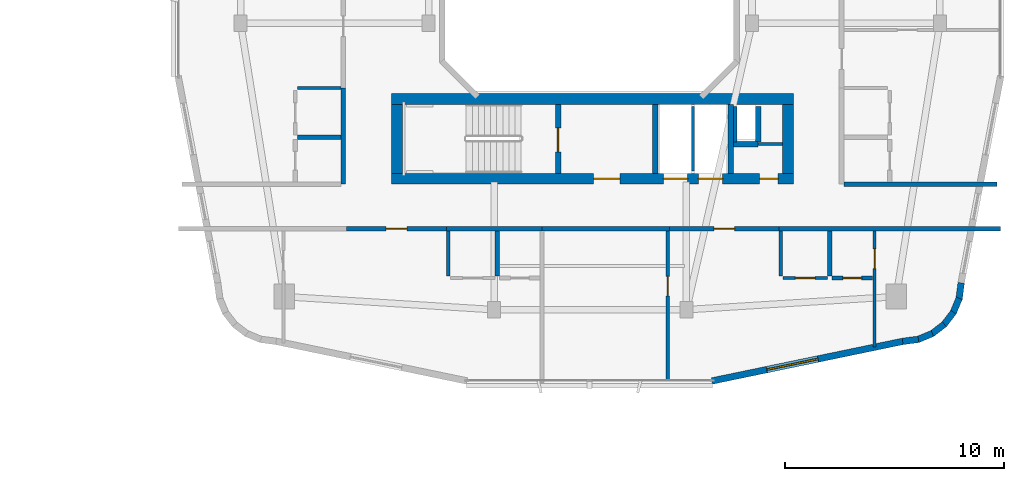
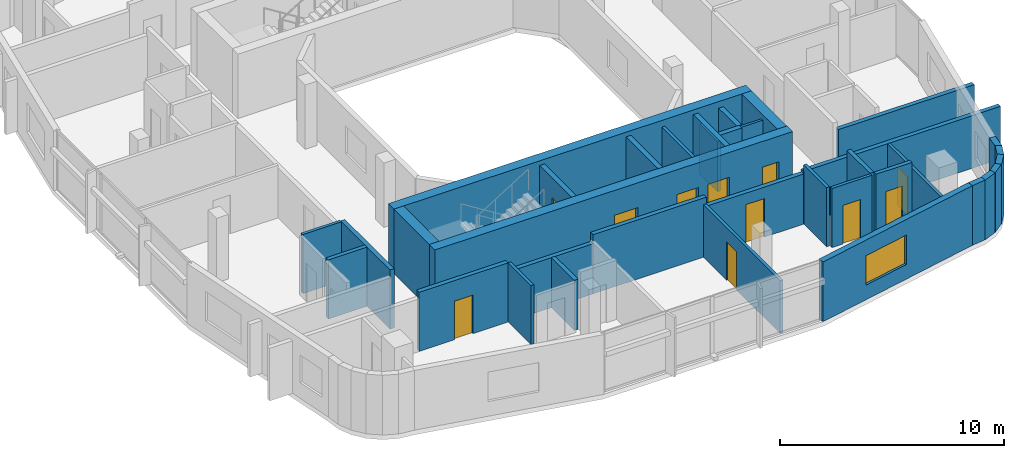
# One storey, part 18 of 27: 36 walls, 11 doors, 1 window, 12 openings.
"""IFC4 building model written with IfcOpenShell, lengths in metres."""

from ifc_helpers import new_model, si_unit, derived_unit, direction, frame, frame_2d, origin, place, context, subcontext, project, spatial, rectangle, extrude, material, layer, layer_set, type_object, element, fill, save


model = new_model("IFC4")

# Units and contexts
model_context = context("Model", 3, precision=1e-05, world=origin(), true_north=direction((0.0, 1.0)))
body_context = subcontext(model_context, "Body", "Model", "MODEL_VIEW")
ifc_project = project(units=[si_unit("LENGTHUNIT", "METRE"), si_unit("AREAUNIT", "SQUARE_METRE"), si_unit("VOLUMEUNIT", "CUBIC_METRE"), si_unit("PLANEANGLEUNIT", "RADIAN"), si_unit("MASSUNIT", "GRAM", prefix="KILO"), derived_unit("THERMALTRANSMITTANCEUNIT", [(si_unit("POWERUNIT", "WATT"), 1), (si_unit("LENGTHUNIT", "METRE"), -2), (si_unit("THERMODYNAMICTEMPERATUREUNIT", "KELVIN"), -1)])], contexts=[model_context])

# Site, building, storey
site_placement = place(None, origin())
site = spatial("IfcSite", under=ifc_project, at=site_placement, CompositionType="ELEMENT")
building_placement = place(site_placement, origin())
building = spatial("IfcBuilding", under=site, at=building_placement, Name="Kivonza Crest Hotel", CompositionType="ELEMENT")
storey_placement = place(building_placement, frame((0.0, 0.0, 73.0)))
storey = spatial("IfcBuildingStorey", under=building, at=storey_placement, Name="L19", CompositionType="ELEMENT", Elevation=73.0)

# Wall
ifc_material_1 = material(Name="Autoclaved aerated concrete blockwork", Category="masonry")
ifc_layer_1 = layer(ifc_material_1, 0.219970703125)
ifc_layer_set_1 = layer_set([ifc_layer_1], Name="Autoclaved aerated concrete blockwork")
wall_type_1 = type_object("IfcWallType", Name="WL-ACOU-220", PredefinedType="SOLIDWALL", material=ifc_layer_set_1)
wall_1_placement = place(storey_placement, frame((70.419921875, 12.10009765625, 0.0), z_axis=(0.0, 0.0, 1.0), x_axis=(1.0, 0.0, 0.0)))
element("IfcWall", 1, at=wall_1_placement, inside=storey, type_object=wall_type_1, Name="L19 interior partition WA-L19-A04-RCORR", PredefinedType="SOLIDWALL", context=body_context, shape_type="SweptSolid", body=[
    extrude(rectangle(XDim=4.380126953125, YDim=0.219970703125, at=frame_2d((2.18994140625, 0.0))), origin(), (0.0, 0.0, 1.0), 2.72509765625),
])

# Wall, opening, door
wall_2_placement = place(storey_placement, frame((65.85009765625, 12.10009765625, 0.0), z_axis=(0.0, 0.0, 1.0), x_axis=(1.0, 0.0, 0.0)))
wall_2 = element("IfcWall", 2, at=wall_2_placement, inside=storey, type_object=wall_type_1, Name="L19 interior partition WA-L19-A04-MCORR", PredefinedType="SOLIDWALL", context=body_context, shape_type="SweptSolid", body=[
    extrude(rectangle(XDim=4.56982421875, YDim=0.219970703125, at=frame_2d((2.284912109375, 0.0))), origin(), (0.0, 0.0, 1.0), 3.219970703125),
])
opening_1_placement = place(wall_2_placement, frame((1.81005859375, 0.0, 0.0)))
opening_1 = element("IfcOpeningElement", 3, at=opening_1_placement, cuts=wall_2, Name="Opening DU-60", PredefinedType="OPENING", context=body_context, shape_type="SweptSolid", body=[
    extrude(rectangle(XDim=0.949951171875, YDim=2.10009765625, at=frame_2d((0.47509765625, 1.050048828125))), frame((0.0, 0.1201171875, 0.0), z_axis=(0.0, -1.0, 0.0), x_axis=(1.0, 0.0, 0.0)), (0.0, 0.0, 1.0), 0.239990234375),
])
ifc_material_2 = material(Name="Hardwood timber oak", Category="wood")
door_type_1 = type_object("IfcDoorType", Name="DR-UNIT-950", OperationType="NOTDEFINED", PredefinedType="DOOR", material=ifc_material_2)
door_1_placement = place(opening_1_placement, frame((0.949951171875, 0.0, 0.0), z_axis=(0.0, 0.0, 1.0), x_axis=(-1.0, 0.0, 0.0)))
door_1 = element("IfcDoor", 4, at=door_1_placement, inside=storey, type_object=door_type_1, Name="L19 A04 apartment entrance fire door", OperationType="SINGLE_SWING_RIGHT", OverallHeight=2.10009765625, OverallWidth=0.949951171875, PredefinedType="DOOR", context=body_context, shape_type="SweptSolid", body=[
    extrude(rectangle(XDim=0.949951171875, YDim=2.10009765625, at=frame_2d((0.47509765625, 1.050048828125))), frame((0.0, 0.02490234375, 0.0), z_axis=(0.0, -1.0, 0.0), x_axis=(1.0, 0.0, 0.0)), (0.0, 0.0, 1.0), 0.050048828125),
])
fill(opening_1, door_1)

# Walls
wall_3_placement = place(storey_placement, frame((74.800048828125, 12.10009765625, 0.0), z_axis=(0.0, 0.0, 1.0), x_axis=(1.0, 0.0, 0.0)))
element("IfcWall", 5, at=wall_3_placement, inside=storey, type_object=wall_type_1, Name="L19 interior partition WA-L19-A05-LCORR", PredefinedType="SOLIDWALL", context=body_context, shape_type="SweptSolid", body=[
    extrude(rectangle(XDim=5.829833984375, YDim=0.219970703125, at=frame_2d((2.9150390625, 0.0))), origin(), (0.0, 0.0, 1.0), 3.219970703125),
])
wall_4_placement = place(storey_placement, frame((85.6298828125, 12.10009765625, 0.0), z_axis=(0.0, 0.0, 1.0), x_axis=(1.0, 0.0, 0.0)))
element("IfcWall", 6, at=wall_4_placement, inside=storey, type_object=wall_type_1, Name="L19 interior partition WA-L19-A05-RCORR", PredefinedType="SOLIDWALL", context=body_context, shape_type="SweptSolid", body=[
    extrude(rectangle(XDim=10.130126953125, YDim=0.219970703125, at=frame_2d((5.06494140625, 0.0))), origin(), (0.0, 0.0, 1.0), 2.864990234375),
])

# Wall, opening, door
wall_5_placement = place(storey_placement, frame((80.6298828125, 12.10009765625, 0.0), z_axis=(0.0, 0.0, 1.0), x_axis=(1.0, 0.0, 0.0)))
wall_5 = element("IfcWall", 7, at=wall_5_placement, inside=storey, type_object=wall_type_1, Name="L19 interior partition WA-L19-A05-MCORR", PredefinedType="SOLIDWALL", context=body_context, shape_type="SweptSolid", body=[
    extrude(rectangle(XDim=5.0, YDim=0.219970703125, at=frame_2d((2.5, 0.0))), origin(), (0.0, 0.0, 1.0), 2.72509765625),
])
opening_2_placement = place(wall_5_placement, frame((2.02490234375, 0.0, 0.0)))
opening_2 = element("IfcOpeningElement", 8, at=opening_2_placement, cuts=wall_5, Name="Opening DU-60", PredefinedType="OPENING", context=body_context, shape_type="SweptSolid", body=[
    extrude(rectangle(XDim=0.949951171875, YDim=2.10009765625, at=frame_2d((0.47509765625, 1.050048828125))), frame((0.0, 0.1201171875, 0.0), z_axis=(0.0, -1.0, 0.0), x_axis=(1.0, 0.0, 0.0)), (0.0, 0.0, 1.0), 0.239990234375),
])
door_2_placement = place(opening_2_placement, frame((0.949951171875, 0.0, 0.0), z_axis=(0.0, 0.0, 1.0), x_axis=(-1.0, 0.0, 0.0)))
door_2 = element("IfcDoor", 9, at=door_2_placement, inside=storey, type_object=door_type_1, Name="L19 A05 apartment entrance fire door", OperationType="SINGLE_SWING_LEFT", OverallHeight=2.10009765625, OverallWidth=0.949951171875, PredefinedType="DOOR", context=body_context, shape_type="SweptSolid", body=[
    extrude(rectangle(XDim=0.949951171875, YDim=2.10009765625, at=frame_2d((0.47509765625, 1.050048828125))), frame((0.0, 0.02490234375, 0.0), z_axis=(0.0, -1.0, 0.0), x_axis=(1.0, 0.0, 0.0)), (0.0, 0.0, 1.0), 0.050048828125),
])
fill(opening_2, door_2)

# Walls
wall_6_placement = place(storey_placement, frame((65.699951171875, 14.139892578125, 0.0), z_axis=(0.0, 0.0, 1.0), x_axis=(0.0, 1.0, 0.0)))
element("IfcWall", 10, at=wall_6_placement, inside=storey, type_object=wall_type_1, Name="L19 interior partition WA-L19-A06-BCORR", PredefinedType="SOLIDWALL", context=body_context, shape_type="SweptSolid", body=[
    extrude(rectangle(XDim=4.400146484375, YDim=0.219970703125, at=frame_2d((2.2001953125, 0.0))), origin(), (0.0, 0.0, 1.0), 3.219970703125),
])
wall_7_placement = place(storey_placement, frame((88.60009765625, 14.139892578125, 0.0), z_axis=(0.0, 0.0, 1.0), x_axis=(1.0, 0.0, 0.0)))
element("IfcWall", 11, at=wall_7_placement, inside=storey, type_object=wall_type_1, Name="L19 interior partition WA-L19-T2E-ENDS", PredefinedType="SOLIDWALL", context=body_context, shape_type="SweptSolid", body=[
    extrude(rectangle(XDim=7.0, YDim=0.219970703125, at=frame_2d((3.5, 0.0))), origin(), (0.0, 0.0, 1.0), 2.864990234375),
])

# Wall, openings, doors
ifc_material_3 = material(Name="Concrete C60/75", Category="concrete")
ifc_layer_2 = layer(ifc_material_3, 0.5)
ifc_layer_set_2 = layer_set([ifc_layer_2], Name="Concrete C60/75")
wall_type_2 = type_object("IfcWallType", Name="WL-CORE-500", PredefinedType="SHEAR", material=ifc_layer_set_2)
wall_8_placement = place(storey_placement, frame((67.89990234375, 14.389892578125, 0.0), z_axis=(0.0, 0.0, 1.0), x_axis=(1.0, 0.0, 0.0)))
wall_8 = element("IfcWall", 12, at=wall_8_placement, inside=storey, type_object=wall_type_2, Name="Core wall T2-S South L19", PredefinedType="SHEAR", context=body_context, shape_type="SweptSolid", body=[
    extrude(rectangle(XDim=18.400146484375, YDim=0.5, at=frame_2d((9.2001953125, 0.0))), origin(), (0.0, 0.0, 1.0), 3.5),
])
opening_3_placement = place(wall_8_placement, frame((9.25, 0.0, 0.0)))
opening_3 = element("IfcOpeningElement", 13, at=opening_3_placement, cuts=wall_8, Name="Opening DF-60", PredefinedType="OPENING", context=body_context, shape_type="SweptSolid", body=[
    extrude(rectangle(XDim=1.199951171875, YDim=2.14990234375, at=frame_2d((0.60009765625, 1.074951171875))), frame((0.0, 0.260009765625, 0.0), z_axis=(0.0, -1.0, 0.0), x_axis=(1.0, 0.0, 0.0)), (0.0, 0.0, 1.0), 0.52001953125),
])
opening_4_placement = place(wall_8_placement, frame((16.85009765625, 0.0, 0.0)))
opening_4 = element("IfcOpeningElement", 14, at=opening_4_placement, cuts=wall_8, Name="Opening DF-60R", PredefinedType="OPENING", context=body_context, shape_type="SweptSolid", body=[
    extrude(rectangle(XDim=0.85009765625, YDim=2.10009765625, at=frame_2d((0.425048828125, 1.050048828125))), frame((0.0, 0.260009765625, 0.0), z_axis=(0.0, -1.0, 0.0), x_axis=(1.0, 0.0, 0.0)), (0.0, 0.0, 1.0), 0.52001953125),
])
opening_5_placement = place(wall_8_placement, frame((12.449951171875, 0.0, 0.0)))
opening_5 = element("IfcOpeningElement", 15, at=opening_5_placement, cuts=wall_8, Name="Opening LD-120", PredefinedType="OPENING", context=body_context, shape_type="SweptSolid", body=[
    extrude(rectangle(XDim=1.10009765625, YDim=2.14990234375, at=frame_2d((0.550048828125, 1.074951171875))), frame((0.0, 0.260009765625, 0.0), z_axis=(0.0, -1.0, 0.0), x_axis=(1.0, 0.0, 0.0)), (0.0, 0.0, 1.0), 0.52001953125),
])
opening_6_placement = place(wall_8_placement, frame((14.050048828125, 0.0, 0.0)))
opening_6 = element("IfcOpeningElement", 16, at=opening_6_placement, cuts=wall_8, Name="Opening LD-120", PredefinedType="OPENING", context=body_context, shape_type="SweptSolid", body=[
    extrude(rectangle(XDim=1.10009765625, YDim=2.14990234375, at=frame_2d((0.550048828125, 1.074951171875))), frame((0.0, 0.260009765625, 0.0), z_axis=(0.0, -1.0, 0.0), x_axis=(1.0, 0.0, 0.0)), (0.0, 0.0, 1.0), 0.52001953125),
])
door_type_2 = type_object("IfcDoorType", Name="DR-FD60-1200", OperationType="NOTDEFINED", PredefinedType="DOOR", material=ifc_material_2)
door_3_placement = place(opening_3_placement, frame((1.199951171875, 0.0, 0.0), z_axis=(0.0, 0.0, 1.0), x_axis=(-1.0, 0.0, 0.0)))
door_3 = element("IfcDoor", 17, at=door_3_placement, inside=storey, type_object=door_type_2, Name="L19 T2-S firefighting lobby fire door", OperationType="SINGLE_SWING_LEFT", OverallHeight=2.14990234375, OverallWidth=1.199951171875, PredefinedType="DOOR", context=body_context, shape_type="SweptSolid", body=[
    extrude(rectangle(XDim=1.199951171875, YDim=2.14990234375, at=frame_2d((0.60009765625, 1.074951171875))), frame((0.0, 0.02490234375, 0.0), z_axis=(0.0, -1.0, 0.0), x_axis=(1.0, 0.0, 0.0)), (0.0, 0.0, 1.0), 0.050048828125),
])
fill(opening_3, door_3)
door_type_3 = type_object("IfcDoorType", Name="DR-FD60-850", OperationType="NOTDEFINED", PredefinedType="DOOR", material=ifc_material_2)
door_4_placement = place(opening_4_placement, frame((0.85009765625, 0.0, 0.0), z_axis=(0.0, 0.0, 1.0), x_axis=(-1.0, 0.0, 0.0)))
door_4 = element("IfcDoor", 18, at=door_4_placement, inside=storey, type_object=door_type_3, Name="L19 T2-S core room door", OperationType="SINGLE_SWING_RIGHT", OverallHeight=2.10009765625, OverallWidth=0.85009765625, PredefinedType="DOOR", context=body_context, shape_type="SweptSolid", body=[
    extrude(rectangle(XDim=0.85009765625, YDim=2.10009765625, at=frame_2d((0.425048828125, 1.050048828125))), frame((0.0, 0.02490234375, 0.0), z_axis=(0.0, -1.0, 0.0), x_axis=(1.0, 0.0, 0.0)), (0.0, 0.0, 1.0), 0.050048828125),
])
fill(opening_4, door_4)
ifc_material_4 = material(Name="Stainless steel", Category="steel")
door_type_4 = type_object("IfcDoorType", Name="DR-LD120-1100", OperationType="NOTDEFINED", PredefinedType="DOOR", material=ifc_material_4)
door_5_placement = place(opening_5_placement, frame((1.10009765625, 0.0, 0.0), z_axis=(0.0, 0.0, 1.0), x_axis=(-1.0, 0.0, 0.0)))
door_5 = element("IfcDoor", 19, at=door_5_placement, inside=storey, type_object=door_type_4, Name="L19 PL-T2-1 passenger lift sliding landing door", OperationType="DOUBLE_DOOR_SLIDING", OverallHeight=2.14990234375, OverallWidth=1.10009765625, PredefinedType="DOOR", context=body_context, shape_type="SweptSolid", body=[
    extrude(rectangle(XDim=1.10009765625, YDim=2.14990234375, at=frame_2d((0.550048828125, 1.074951171875))), frame((0.0, 0.02490234375, 0.0), z_axis=(0.0, -1.0, 0.0), x_axis=(1.0, 0.0, 0.0)), (0.0, 0.0, 1.0), 0.050048828125),
])
fill(opening_5, door_5)
door_6_placement = place(opening_6_placement, frame((1.10009765625, 0.0, 0.0), z_axis=(0.0, 0.0, 1.0), x_axis=(-1.0, 0.0, 0.0)))
door_6 = element("IfcDoor", 20, at=door_6_placement, inside=storey, type_object=door_type_4, Name="L19 PL-T2-2 passenger lift sliding landing door", OperationType="DOUBLE_DOOR_SLIDING", OverallHeight=2.14990234375, OverallWidth=1.10009765625, PredefinedType="DOOR", context=body_context, shape_type="SweptSolid", body=[
    extrude(rectangle(XDim=1.10009765625, YDim=2.14990234375, at=frame_2d((0.550048828125, 1.074951171875))), frame((0.0, 0.02490234375, 0.0), z_axis=(0.0, -1.0, 0.0), x_axis=(1.0, 0.0, 0.0)), (0.0, 0.0, 1.0), 0.050048828125),
])
fill(opening_6, door_6)

# Walls
wall_9_placement = place(storey_placement, frame((67.89990234375, 18.050048828125, 0.0), z_axis=(0.0, 0.0, 1.0), x_axis=(1.0, 0.0, 0.0)))
element("IfcWall", 21, at=wall_9_placement, inside=storey, type_object=wall_type_2, Name="Core wall T2-S North L19", PredefinedType="SHEAR", context=body_context, shape_type="SweptSolid", body=[
    extrude(rectangle(XDim=18.400146484375, YDim=0.5, at=frame_2d((9.2001953125, 0.0))), origin(), (0.0, 0.0, 1.0), 3.5),
])
for number, where, z_axis, x_axis, name in (
    (22, (68.14990234375, 14.639892578125, 0.0), (0.0, 0.0, 1.0), (0.0, 1.0, 0.0), "Core wall T2-S West L19"),
    (23, (86.050048828125, 14.639892578125, 0.0), (0.0, 0.0, 1.0), (0.0, 1.0, 0.0), "Core wall T2-S East L19"),
):
    element("IfcWall", number, at=place(storey_placement, frame(where, z_axis=z_axis, x_axis=x_axis)), inside=storey, type_object=wall_type_2, Name=name, PredefinedType="SHEAR", context=body_context, shape_type="SweptSolid", body=[
        extrude(rectangle(XDim=3.16015625, YDim=0.5, at=frame_2d((1.580078125, 0.0))), origin(), (0.0, 0.0, 1.0), 3.5),
    ])

# Wall, opening, window
ifc_material_5 = material(Name="Precast concrete C40/50", Category="concrete")
ifc_layer_3 = layer(ifc_material_5, 0.300048828125)
ifc_layer_set_3 = layer_set([ifc_layer_3], Name="Precast concrete C40/50")
wall_type_3 = type_object("IfcWallType", Name="WL-EXT-300", PredefinedType="STANDARD", material=ifc_layer_set_3)
wall_10_placement = place(storey_placement, frame((82.56396484375, 5.135986328125, 0.0), z_axis=(0.0, 0.0, 1.0), x_axis=(0.979128391325, 0.203242695569, 0.0)))
wall_10 = element("IfcWall", 24, at=wall_10_placement, inside=storey, type_object=wall_type_3, Name="L19 T2 exterior insulated wall 9", PredefinedType="STANDARD", context=body_context, shape_type="SweptSolid", body=[
    extrude(rectangle(XDim=8.92041015625, YDim=0.300048828125, at=frame_2d((4.460205078125, 0.0))), origin(), (0.0, 0.0, 1.0), 3.25),
])
opening_7_placement = place(wall_10_placement, frame((2.56298828125, 0.0, 0.800048828125)))
opening_7 = element("IfcOpeningElement", 25, at=opening_7_placement, cuts=wall_10, Name="Opening WN-05", PredefinedType="OPENING", context=body_context, shape_type="SweptSolid", body=[
    extrude(rectangle(XDim=2.39990234375, YDim=1.60009765625, at=frame_2d((1.199951171875, 0.800048828125))), frame((0.0, 0.16015625, 0.0), z_axis=(0.0, -1.0, 0.0), x_axis=(1.0, 0.0, 0.0)), (0.0, 0.0, 1.0), 0.320068359375),
])
ifc_material_6 = material(Name="Thermally broken bronze aluminium and low-E double glazing", Category="aluminium")
window_type = type_object("IfcWindowType", Name="WN-240x160", PartitioningType="TRIPLE_PANEL_VERTICAL", PredefinedType="WINDOW", material=ifc_material_6)
window_placement = place(opening_7_placement, origin())
window = element("IfcWindow", 26, at=window_placement, inside=storey, type_object=window_type, Name="L19 T2 facade window 9", OverallHeight=1.60009765625, OverallWidth=2.39990234375, PartitioningType="SINGLE_PANEL", PredefinedType="WINDOW", context=body_context, shape_type="SweptSolid", body=[
    extrude(rectangle(XDim=2.39990234375, YDim=1.60009765625, at=frame_2d((1.199951171875, 0.800048828125))), frame((0.0, 0.030029296875, 0.0), z_axis=(0.0, -1.0, 0.0), x_axis=(1.0, 0.0, 0.0)), (0.0, 0.0, 1.0), 0.06005859375),
])
fill(opening_7, window)

# Walls
wall_11_placement = place(storey_placement, frame((91.29296875, 6.947998046875, 0.0), z_axis=(0.0, 0.0, 1.0), x_axis=(0.991486167159, 0.13021205909, 0.0)))
element("IfcWall", 27, at=wall_11_placement, inside=storey, type_object=wall_type_3, Name="L19 T2 exterior insulated wall 10", PredefinedType="STANDARD", context=body_context, shape_type="SweptSolid", body=[
    extrude(rectangle(XDim=0.729248046875, YDim=0.300048828125, at=frame_2d((0.36474609375, 0.0))), origin(), (0.0, 0.0, 1.0), 3.25),
])
for number, where, z_axis, x_axis, name in (
    (28, (91.965087890625, 7.02392578125, 0.0), (0.0, 0.0, 1.0), (0.923521684703, 0.383546213491, 0.0), "L19 T2 exterior insulated wall 11"),
    (29, (92.60888671875, 7.279052734375, 0.0), (0.0, 0.0, 1.0), (0.79363269798, 0.608397189915, 0.0), "L19 T2 exterior insulated wall 12"),
    (30, (93.166015625, 7.69091796875, 0.0), (0.0, 0.0, 1.0), (0.608603261071, 0.793474681772, 0.0), "L19 T2 exterior insulated wall 13"),
):
    element("IfcWall", number, at=place(storey_placement, frame(where, z_axis=z_axis, x_axis=x_axis)), inside=storey, type_object=wall_type_3, Name=name, PredefinedType="STANDARD", context=body_context, shape_type="SweptSolid", body=[
        extrude(rectangle(XDim=0.74609375, YDim=0.300048828125, at=frame_2d((0.373046875, 0.0))), origin(), (0.0, 0.0, 1.0), 3.25),
    ])
wall_12_placement = place(storey_placement, frame((93.595947265625, 8.23388671875, 0.0), z_axis=(0.0, 0.0, 1.0), x_axis=(0.383430326427, 0.923569805037, 0.0)))
element("IfcWall", 31, at=wall_12_placement, inside=storey, type_object=wall_type_3, Name="L19 T2 exterior insulated wall 14", PredefinedType="STANDARD", context=body_context, shape_type="SweptSolid", body=[
    extrude(rectangle(XDim=0.746337890625, YDim=0.300048828125, at=frame_2d((0.373046875, 0.0))), origin(), (0.0, 0.0, 1.0), 3.25),
])
wall_13_placement = place(storey_placement, frame((93.873046875, 8.868896484375, 0.0), z_axis=(0.0, 0.0, 1.0), x_axis=(0.129339184068, 0.991600411186, 0.0)))
element("IfcWall", 32, at=wall_13_placement, inside=storey, type_object=wall_type_3, Name="L19 T2 exterior insulated wall 15", PredefinedType="STANDARD", context=body_context, shape_type="SweptSolid", body=[
    extrude(rectangle(XDim=0.764404296875, YDim=0.300048828125, at=frame_2d((0.38232421875, 0.0))), origin(), (0.0, 0.0, 1.0), 3.25),
])
ifc_material_7 = material(Name="Concrete blockwork fire-compartment wall", Category="masonry")
ifc_layer_4 = layer(ifc_material_7, 0.25)
ifc_layer_set_4 = layer_set([ifc_layer_4], Name="Concrete blockwork fire-compartment wall")
wall_type_4 = type_object("IfcWallType", Name="WL-FIRE-250", PredefinedType="SOLIDWALL", material=ifc_layer_set_4)
wall_14_placement = place(storey_placement, frame((84.679931640625, 16.080078125, 0.0), z_axis=(0.0, 0.0, 1.0), x_axis=(0.0, 1.0, 0.0)))
element("IfcWall", 33, at=wall_14_placement, inside=storey, type_object=wall_type_4, Name="L19 interior partition WA-L19-T2-S-MEPR-E", PredefinedType="SOLIDWALL", context=body_context, shape_type="SweptSolid", body=[
    extrude(rectangle(XDim=1.619873046875, YDim=0.25, at=frame_2d((0.81005859375, 0.0))), origin(), (0.0, 0.0, 1.0), 3.219970703125),
])
wall_15_placement = place(storey_placement, frame((83.550048828125, 15.97998046875, 0.0), z_axis=(0.0, 0.0, 1.0), x_axis=(1.0, 0.0, 0.0)))
element("IfcWall", 34, at=wall_15_placement, inside=storey, type_object=wall_type_4, Name="L19 interior partition WA-L19-T2-S-MEPR-H", PredefinedType="SOLIDWALL", context=body_context, shape_type="SweptSolid", body=[
    extrude(rectangle(XDim=1.1298828125, YDim=0.25, at=frame_2d((0.56494140625, 0.0))), origin(), (0.0, 0.0, 1.0), 3.219970703125),
])
ifc_material_8 = material(Name="Metal-stud gypsum board partition", Category="gypsum")
ifc_layer_5 = layer(ifc_material_8, 0.125)
ifc_layer_set_5 = layer_set([ifc_layer_5], Name="Metal-stud gypsum board partition")
wall_type_5 = type_object("IfcWallType", Name="WL-PART-125", PredefinedType="PARTITIONING", material=ifc_layer_set_5)
wall_16_placement = place(storey_placement, frame((84.679931640625, 15.97998046875, 0.0), z_axis=(0.0, 0.0, 1.0), x_axis=(1.0, 0.0, 0.0)))
element("IfcWall", 35, at=wall_16_placement, inside=storey, type_object=wall_type_5, Name="L19 interior partition WP-L19-T2-S-T2H", PredefinedType="PARTITIONING", context=body_context, shape_type="SweptSolid", body=[
    extrude(rectangle(XDim=1.1201171875, YDim=0.125, at=frame_2d((0.56005859375, 0.0))), origin(), (0.0, 0.0, 1.0), 3.219970703125),
])
ifc_material_9 = material(Name="Twin-stud acoustic gypsum board partition", Category="gypsum")
ifc_layer_6 = layer(ifc_material_9, 0.14990234375)
ifc_layer_set_6 = layer_set([ifc_layer_6], Name="Twin-stud acoustic gypsum board partition")
wall_type_6 = type_object("IfcWallType", Name="WL-PART-150", PredefinedType="PARTITIONING", material=ifc_layer_set_6)
wall_17_placement = place(storey_placement, frame((83.6298828125, 16.080078125, 0.0), z_axis=(0.0, 0.0, 1.0), x_axis=(0.0, 1.0, 0.0)))
element("IfcWall", 36, at=wall_17_placement, inside=storey, type_object=wall_type_6, Name="L19 interior partition WA-L19-T2-S-MEPR-W", PredefinedType="PARTITIONING", context=body_context, shape_type="SweptSolid", body=[
    extrude(rectangle(XDim=1.619873046875, YDim=0.14990234375, at=frame_2d((0.81005859375, 0.0))), origin(), (0.0, 0.0, 1.0), 2.72509765625),
])
wall_18_placement = place(storey_placement, frame((81.699951171875, 14.739990234375, 0.0), z_axis=(0.0, 0.0, 1.0), x_axis=(0.0, 1.0, 0.0)))
element("IfcWall", 37, at=wall_18_placement, inside=storey, type_object=wall_type_6, Name="L19 interior partition WP-L19-T2-S-BSH-1", PredefinedType="PARTITIONING", context=body_context, shape_type="SweptSolid", body=[
    extrude(rectangle(XDim=2.9599609375, YDim=0.14990234375, at=frame_2d((1.47998046875, 0.0))), origin(), (0.0, 0.0, 1.0), 3.219970703125),
])
wall_19_placement = place(storey_placement, frame((70.5, 9.949951171875, 0.0), z_axis=(0.0, 0.0, 1.0), x_axis=(0.0, 1.0, 0.0)))
element("IfcWall", 38, at=wall_19_placement, inside=storey, type_object=wall_type_6, Name="L19 interior partition WP-L19-A04-KF", PredefinedType="PARTITIONING", context=body_context, shape_type="SweptSolid", body=[
    extrude(rectangle(XDim=2.050048828125, YDim=0.14990234375, at=frame_2d((1.02490234375, 0.0))), origin(), (0.0, 0.0, 1.0), 3.219970703125),
])

# Wall, opening, door
wall_20_placement = place(storey_placement, frame((80.550048828125, 5.159912109375, 0.0), z_axis=(0.0, 0.0, 1.0), x_axis=(0.0, 1.0, 0.0)))
wall_20 = element("IfcWall", 39, at=wall_20_placement, inside=storey, type_object=wall_type_6, Name="L19 interior partition WP-L19-A05-BDW1", PredefinedType="PARTITIONING", context=body_context, shape_type="SweptSolid", body=[
    extrude(rectangle(XDim=6.840087890625, YDim=0.14990234375, at=frame_2d((3.419921875, 0.0))), origin(), (0.0, 0.0, 1.0), 2.864990234375),
])
opening_8_placement = place(wall_20_placement, frame((3.8701171875, 0.0, 0.0)))
opening_8 = element("IfcOpeningElement", 40, at=opening_8_placement, cuts=wall_20, Name="Opening DI-90", PredefinedType="OPENING", context=body_context, shape_type="SweptSolid", body=[
    extrude(rectangle(XDim=0.89990234375, YDim=2.10009765625, at=frame_2d((0.449951171875, 1.050048828125))), frame((0.0, 0.0849609375, 0.0), z_axis=(0.0, -1.0, 0.0), x_axis=(1.0, 0.0, 0.0)), (0.0, 0.0, 1.0), 0.169921875),
])
door_type_5 = type_object("IfcDoorType", Name="DR-INT-900", OperationType="NOTDEFINED", PredefinedType="DOOR", material=ifc_material_2)
door_7_placement = place(opening_8_placement, origin())
door_7 = element("IfcDoor", 41, at=door_7_placement, inside=storey, type_object=door_type_5, Name="L19 A05 bedroom 1 door", OperationType="SINGLE_SWING_RIGHT", OverallHeight=2.10009765625, OverallWidth=0.89990234375, PredefinedType="DOOR", context=body_context, shape_type="SweptSolid", body=[
    extrude(rectangle(XDim=0.89990234375, YDim=2.10009765625, at=frame_2d((0.449951171875, 1.050048828125))), frame((0.0, 0.02490234375, 0.0), z_axis=(0.0, -1.0, 0.0), x_axis=(1.0, 0.0, 0.0)), (0.0, 0.0, 1.0), 0.050048828125),
])
fill(opening_8, door_7)

wall_21_placement = place(storey_placement, frame((90.010009765625, 6.68896484375, 0.0), z_axis=(0.0, 0.0, 1.0), x_axis=(0.0, 1.0, 0.0)))
wall_21 = element("IfcWall", 42, at=wall_21_placement, inside=storey, type_object=wall_type_6, Name="L19 interior partition WP-L19-A05-BDW2", PredefinedType="PARTITIONING", context=body_context, shape_type="SweptSolid", body=[
    extrude(rectangle(XDim=5.31103515625, YDim=0.14990234375, at=frame_2d((2.655517578125, 0.0))), origin(), (0.0, 0.0, 1.0), 2.864990234375),
])
opening_9_placement = place(wall_21_placement, frame((3.590087890625, 0.0, 0.0)))
opening_9 = element("IfcOpeningElement", 43, at=opening_9_placement, cuts=wall_21, Name="Opening DI-90", PredefinedType="OPENING", context=body_context, shape_type="SweptSolid", body=[
    extrude(rectangle(XDim=0.89990234375, YDim=2.10009765625, at=frame_2d((0.449951171875, 1.050048828125))), frame((0.0, 0.0849609375, 0.0), z_axis=(0.0, -1.0, 0.0), x_axis=(1.0, 0.0, 0.0)), (0.0, 0.0, 1.0), 0.169921875),
])
door_8_placement = place(opening_9_placement, origin())
door_8 = element("IfcDoor", 44, at=door_8_placement, inside=storey, type_object=door_type_5, Name="L19 A05 bedroom 2 door", OperationType="SINGLE_SWING_LEFT", OverallHeight=2.10009765625, OverallWidth=0.89990234375, PredefinedType="DOOR", context=body_context, shape_type="SweptSolid", body=[
    extrude(rectangle(XDim=0.89990234375, YDim=2.10009765625, at=frame_2d((0.449951171875, 1.050048828125))), frame((0.0, 0.02490234375, 0.0), z_axis=(0.0, -1.0, 0.0), x_axis=(1.0, 0.0, 0.0)), (0.0, 0.0, 1.0), 0.050048828125),
])
fill(opening_9, door_8)

# Wall
wall_22_placement = place(storey_placement, frame((85.7099609375, 9.949951171875, 0.0), z_axis=(0.0, 0.0, 1.0), x_axis=(0.0, 1.0, 0.0)))
element("IfcWall", 45, at=wall_22_placement, inside=storey, type_object=wall_type_6, Name="L19 interior partition WP-L19-A05-KF", PredefinedType="PARTITIONING", context=body_context, shape_type="SweptSolid", body=[
    extrude(rectangle(XDim=2.050048828125, YDim=0.14990234375, at=frame_2d((1.02490234375, 0.0))), origin(), (0.0, 0.0, 1.0), 3.219970703125),
])

# Wall, opening, door
wall_23_placement = place(storey_placement, frame((85.81005859375, 9.85009765625, 0.0), z_axis=(0.0, 0.0, 1.0), x_axis=(1.0, 0.0, 0.0)))
wall_23 = element("IfcWall", 46, at=wall_23_placement, inside=storey, type_object=wall_type_6, Name="L19 interior partition WP-L19-A05-KSVC", PredefinedType="PARTITIONING", context=body_context, shape_type="SweptSolid", body=[
    extrude(rectangle(XDim=2.050048828125, YDim=0.14990234375, at=frame_2d((1.02490234375, 0.0))), origin(), (0.0, 0.0, 1.0), 3.219970703125),
])
opening_10_placement = place(wall_23_placement, frame((0.574951171875, 0.0, 0.0)))
opening_10 = element("IfcOpeningElement", 47, at=opening_10_placement, cuts=wall_23, Name="Opening DI-90", PredefinedType="OPENING", context=body_context, shape_type="SweptSolid", body=[
    extrude(rectangle(XDim=0.89990234375, YDim=2.10009765625, at=frame_2d((0.449951171875, 1.050048828125))), frame((0.0, 0.0849609375, 0.0), z_axis=(0.0, -1.0, 0.0), x_axis=(1.0, 0.0, 0.0)), (0.0, 0.0, 1.0), 0.169921875),
])
door_9_placement = place(opening_10_placement, frame((0.89990234375, 0.0, 0.0), z_axis=(0.0, 0.0, 1.0), x_axis=(-1.0, 0.0, 0.0)))
door_9 = element("IfcDoor", 48, at=door_9_placement, inside=storey, type_object=door_type_5, Name="L19 A05 apartment kitchen door", OperationType="SINGLE_SWING_LEFT", OverallHeight=2.10009765625, OverallWidth=0.89990234375, PredefinedType="DOOR", context=body_context, shape_type="SweptSolid", body=[
    extrude(rectangle(XDim=0.89990234375, YDim=2.10009765625, at=frame_2d((0.449951171875, 1.050048828125))), frame((0.0, 0.02490234375, 0.0), z_axis=(0.0, -1.0, 0.0), x_axis=(1.0, 0.0, 0.0)), (0.0, 0.0, 1.0), 0.050048828125),
])
fill(opening_10, door_9)

# Walls
wall_24_placement = place(storey_placement, frame((63.60009765625, 18.5400390625, 0.0), z_axis=(0.0, 0.0, 1.0), x_axis=(1.0, 0.0, 0.0)))
element("IfcWall", 49, at=wall_24_placement, inside=storey, type_object=wall_type_6, Name="L19 interior partition WP-L19-A06-KF", PredefinedType="PARTITIONING", context=body_context, shape_type="SweptSolid", body=[
    extrude(rectangle(XDim=2.0, YDim=0.14990234375, at=frame_2d((1.0, 0.0))), origin(), (0.0, 0.0, 1.0), 3.219970703125),
])
ifc_material_10 = material(Name="Moisture-resistant plumbing chase partition wall", Category="gypsum")
ifc_layer_7 = layer(ifc_material_10, 0.199951171875)
ifc_layer_set_7 = layer_set([ifc_layer_7], Name="Moisture-resistant plumbing chase partition wall")
wall_type_7 = type_object("IfcWallType", Name="WL-PLUMB-200", PredefinedType="PLUMBINGWALL", material=ifc_layer_set_7)
wall_25_placement = place(storey_placement, frame((72.75, 9.949951171875, 0.0), z_axis=(0.0, 0.0, 1.0), x_axis=(0.0, 1.0, 0.0)))
element("IfcWall", 50, at=wall_25_placement, inside=storey, type_object=wall_type_7, Name="L19 interior partition WW-L19-A04-BK", PredefinedType="PLUMBINGWALL", context=body_context, shape_type="SweptSolid", body=[
    extrude(rectangle(XDim=2.050048828125, YDim=0.199951171875, at=frame_2d((1.02490234375, 0.0))), origin(), (0.0, 0.0, 1.0), 2.72509765625),
])
wall_26_placement = place(storey_placement, frame((87.9599609375, 9.949951171875, 0.0), z_axis=(0.0, 0.0, 1.0), x_axis=(0.0, 1.0, 0.0)))
element("IfcWall", 51, at=wall_26_placement, inside=storey, type_object=wall_type_7, Name="L19 interior partition WW-L19-A05-BK", PredefinedType="PLUMBINGWALL", context=body_context, shape_type="SweptSolid", body=[
    extrude(rectangle(XDim=2.050048828125, YDim=0.199951171875, at=frame_2d((1.02490234375, 0.0))), origin(), (0.0, 0.0, 1.0), 3.219970703125),
])

# Wall, opening, door
wall_27_placement = place(storey_placement, frame((88.06005859375, 9.85009765625, 0.0), z_axis=(0.0, 0.0, 1.0), x_axis=(1.0, 0.0, 0.0)))
wall_27 = element("IfcWall", 52, at=wall_27_placement, inside=storey, type_object=wall_type_7, Name="L19 interior partition WW-L19-A05-BSVC", PredefinedType="PLUMBINGWALL", context=body_context, shape_type="SweptSolid", body=[
    extrude(rectangle(XDim=1.849853515625, YDim=0.199951171875, at=frame_2d((0.9248046875, 0.0))), origin(), (0.0, 0.0, 1.0), 3.219970703125),
])
opening_11_placement = place(wall_27_placement, frame((0.5, 0.0, 0.0)))
opening_11 = element("IfcOpeningElement", 53, at=opening_11_placement, cuts=wall_27, Name="Opening DI-85", PredefinedType="OPENING", context=body_context, shape_type="SweptSolid", body=[
    extrude(rectangle(XDim=0.85009765625, YDim=2.10009765625, at=frame_2d((0.425048828125, 1.050048828125))), frame((0.0, 0.10986328125, 0.0), z_axis=(0.0, -1.0, 0.0), x_axis=(1.0, 0.0, 0.0)), (0.0, 0.0, 1.0), 0.219970703125),
])
door_type_6 = type_object("IfcDoorType", Name="DR-INT-850", OperationType="NOTDEFINED", PredefinedType="DOOR", material=ifc_material_2)
door_10_placement = place(opening_11_placement, frame((0.85009765625, 0.0, 0.0), z_axis=(0.0, 0.0, 1.0), x_axis=(-1.0, 0.0, 0.0)))
door_10 = element("IfcDoor", 54, at=door_10_placement, inside=storey, type_object=door_type_6, Name="L19 A05 apartment bathroom door", OperationType="SINGLE_SWING_RIGHT", OverallHeight=2.10009765625, OverallWidth=0.85009765625, PredefinedType="DOOR", context=body_context, shape_type="SweptSolid", body=[
    extrude(rectangle(XDim=0.85009765625, YDim=2.10009765625, at=frame_2d((0.425048828125, 1.050048828125))), frame((0.0, 0.02490234375, 0.0), z_axis=(0.0, -1.0, 0.0), x_axis=(1.0, 0.0, 0.0)), (0.0, 0.0, 1.0), 0.050048828125),
])
fill(opening_11, door_10)

# Wall
wall_28_placement = place(storey_placement, frame((63.60009765625, 16.2900390625, 0.0), z_axis=(0.0, 0.0, 1.0), x_axis=(1.0, 0.0, 0.0)))
element("IfcWall", 55, at=wall_28_placement, inside=storey, type_object=wall_type_7, Name="L19 interior partition WW-L19-A06-BK", PredefinedType="PLUMBINGWALL", context=body_context, shape_type="SweptSolid", body=[
    extrude(rectangle(XDim=2.0, YDim=0.199951171875, at=frame_2d((1.0, 0.0))), origin(), (0.0, 0.0, 1.0), 3.219970703125),
])

# Wall, opening, door
ifc_material_11 = material(Name="Concrete C50/60", Category="concrete")
ifc_layer_8 = layer(ifc_material_11, 0.25)
ifc_layer_set_8 = layer_set([ifc_layer_8], Name="Concrete C50/60")
wall_type_8 = type_object("IfcWallType", Name="WL-SHAFT-250", PredefinedType="STANDARD", material=ifc_layer_set_8)
wall_29_placement = place(storey_placement, frame((75.52490234375, 14.639892578125, 0.0), z_axis=(0.0, 0.0, 1.0), x_axis=(0.0, 1.0, 0.0)))
wall_29 = element("IfcWall", 56, at=wall_29_placement, inside=storey, type_object=wall_type_8, Name="Core shaft wall T2-S STAIR L19", PredefinedType="STANDARD", context=body_context, shape_type="SweptSolid", body=[
    extrude(rectangle(XDim=3.16015625, YDim=0.25, at=frame_2d((1.580078125, 0.0))), origin(), (0.0, 0.0, 1.0), 3.25),
])
opening_12_placement = place(wall_29_placement, frame((0.97998046875, 0.0, 0.0)))
opening_12 = element("IfcOpeningElement", 57, at=opening_12_placement, cuts=wall_29, Name="Opening DF-120", PredefinedType="OPENING", context=body_context, shape_type="SweptSolid", body=[
    extrude(rectangle(XDim=1.10009765625, YDim=2.14990234375, at=frame_2d((0.550048828125, 1.074951171875))), frame((0.0, 0.135009765625, 0.0), z_axis=(0.0, -1.0, 0.0), x_axis=(1.0, 0.0, 0.0)), (0.0, 0.0, 1.0), 0.27001953125),
])
ifc_material_12 = material(Name="Galvanised steel", Category="steel")
door_type_7 = type_object("IfcDoorType", Name="DR-FD120-1100", OperationType="NOTDEFINED", PredefinedType="DOOR", material=ifc_material_12)
door_11_placement = place(opening_12_placement, frame((1.10009765625, 0.0, 0.0), z_axis=(0.0, 0.0, 1.0), x_axis=(-1.0, 0.0, 0.0)))
door_11 = element("IfcDoor", 58, at=door_11_placement, inside=storey, type_object=door_type_7, Name="L19 T2-S stair fire door", OperationType="SINGLE_SWING_RIGHT", OverallHeight=2.14990234375, OverallWidth=1.10009765625, PredefinedType="DOOR", context=body_context, shape_type="SweptSolid", body=[
    extrude(rectangle(XDim=1.10009765625, YDim=2.14990234375, at=frame_2d((0.550048828125, 1.074951171875))), frame((0.0, 0.02490234375, 0.0), z_axis=(0.0, -1.0, 0.0), x_axis=(1.0, 0.0, 0.0)), (0.0, 0.0, 1.0), 0.050048828125),
])
fill(opening_12, door_11)

# Walls
for number, where, z_axis, x_axis, name in (
    (59, (79.97509765625, 14.639892578125, 0.0), (0.0, 0.0, 1.0), (0.0, 1.0, 0.0), "Core shaft wall T2-S BANK-W L19"),
    (60, (83.425048828125, 14.639892578125, 0.0), (0.0, 0.0, 1.0), (0.0, 1.0, 0.0), "Core shaft wall T2-S BANK-E L19"),
):
    element("IfcWall", number, at=place(storey_placement, frame(where, z_axis=z_axis, x_axis=x_axis)), inside=storey, type_object=wall_type_8, Name=name, PredefinedType="STANDARD", context=body_context, shape_type="SweptSolid", body=[
        extrude(rectangle(XDim=3.16015625, YDim=0.25, at=frame_2d((1.580078125, 0.0))), origin(), (0.0, 0.0, 1.0), 3.25),
    ])

save(model, "model.ifc")
